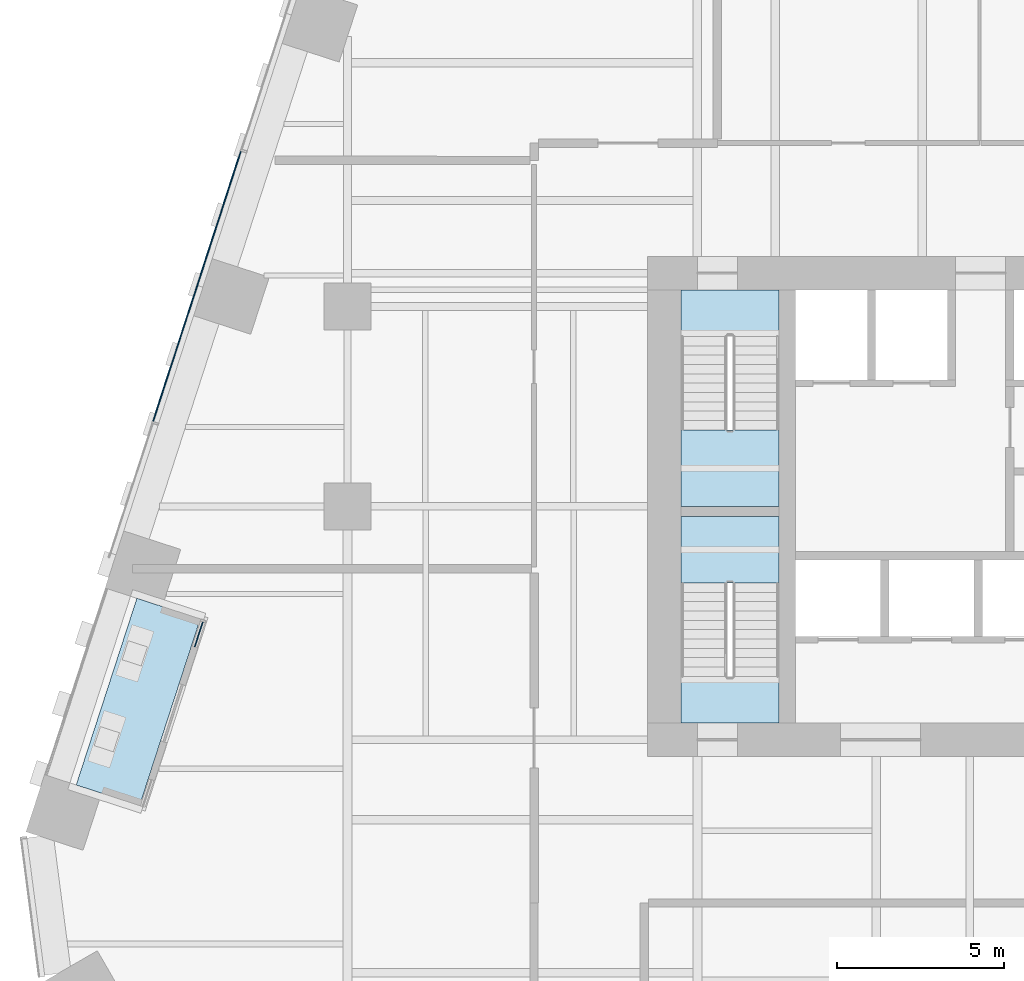
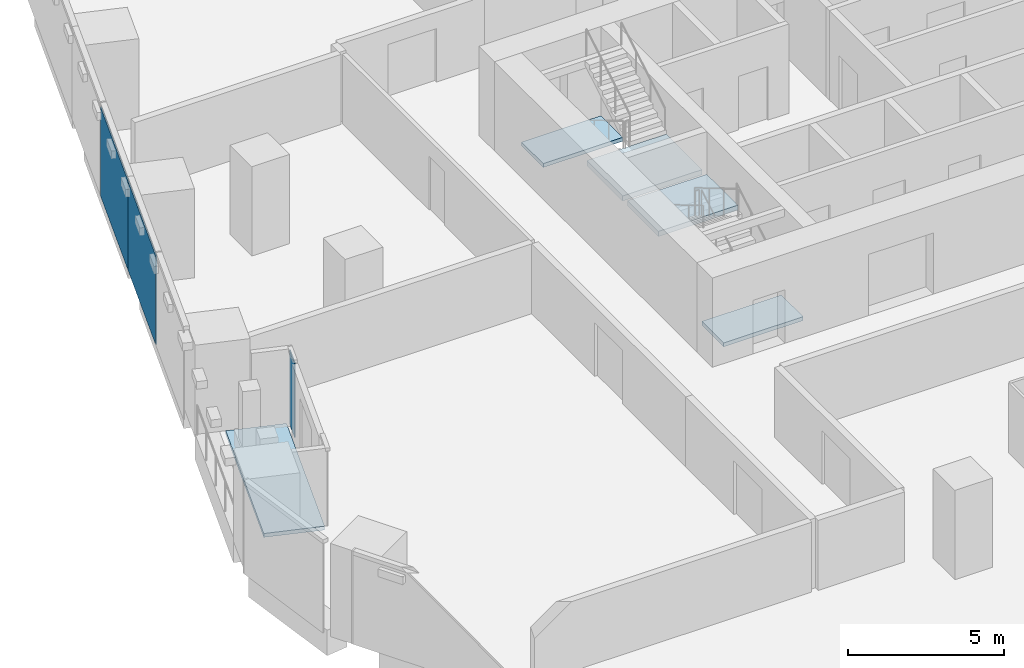
# One storey, part 18 of 31: 5 slabs, 3 plates, 4 elements without a shape of their own.
"""IFC4 building model written with IfcOpenShell, lengths in metres."""

from ifc_helpers import new_model, si_unit, direction, frame, origin, origin_2d, place, context, subcontext, project, spatial, polyline, rectangle, outline, extrude, material, layer, layer_set, type_object, element, aggregate, save


model = new_model("IFC4")

# Units and contexts
model_context = context("Model", 3, precision=1e-05, world=origin(), true_north=direction((0.0, 1.0)))
body_context = subcontext(model_context, "Body", "Model", "MODEL_VIEW")
ifc_project = project(units=[si_unit("LENGTHUNIT", "METRE"), si_unit("AREAUNIT", "SQUARE_METRE"), si_unit("VOLUMEUNIT", "CUBIC_METRE"), si_unit("PLANEANGLEUNIT", "RADIAN"), si_unit("MASSUNIT", "GRAM", prefix="KILO")], contexts=[model_context])

# Site, building, storey
site_placement = place(None, origin())
site = spatial("IfcSite", under=ifc_project, at=site_placement, CompositionType="ELEMENT")
building_placement = place(site_placement, origin())
building = spatial("IfcBuilding", under=site, at=building_placement, Name="Isthmus Gate Tower", CompositionType="ELEMENT")
storey_placement = place(building_placement, frame((0.0, 0.0, 39.64990234375)))
storey = spatial("IfcBuildingStorey", under=building, at=storey_placement, Name="L07", CompositionType="ELEMENT", Elevation=39.64990234375)

# Slabs
ifc_material_1 = material(Name="Concrete f'c 40 MPa", Category="concrete")
ifc_layer_1 = layer(ifc_material_1, 0.14990234375)
ifc_layer_set_1 = layer_set([ifc_layer_1], Name="CORE FLOOR SLAB 150")
slab_type_1 = type_object("IfcSlabType", Name="CORE FLOOR SLAB 150", PredefinedType="FLOOR", material=ifc_layer_set_1)
slab_1_placement = place(storey_placement, frame((0.0, 0.0, -0.14990234375)))
element("IfcSlab", 1, at=slab_1_placement, inside=storey, type_object=slab_type_1, Name="L07 core floor", PredefinedType="FLOOR", context=body_context, shape_type="SweptSolid", body=[
    extrude(outline(polyline([(-11.050048828125, 1.0), (-11.050048828125, 2.402099609375), (-14.0, 2.402099609375), (-14.0, 1.0), (-11.050048828125, 1.0)])), origin(), (0.0, 0.0, 1.0), 0.14990234375),
])
slab_2_placement = place(storey_placement, frame((0.0, 0.0, -0.14990234375)))
element("IfcSlab", 2, at=slab_2_placement, inside=storey, type_object=slab_type_1, Name="L07 core floor", PredefinedType="FLOOR", context=body_context, shape_type="SweptSolid", body=[
    extrude(outline(polyline([(-14.0, 14.0), (-14.0, 12.597900390625), (-11.050048828125, 12.597900390625), (-11.050048828125, 14.0), (-14.0, 14.0)])), origin(), (0.0, 0.0, 1.0), 0.14990234375),
])

# Curtain wall, plates
ifc_material_2 = material(Name="Aluminium, pale champagne anodised", Category="aluminium")
ifc_layer_2 = layer(ifc_material_2, 0.199951171875)
ifc_layer_set_2 = layer_set([ifc_layer_2], Name="CW-1 UNITISED CURTAIN WALL 200 DEEP")
curtain_wall_type_1 = type_object("IfcCurtainWallType", Name="CW-1 UNITISED CURTAIN WALL 200 DEEP", PredefinedType="NOTDEFINED", material=ifc_layer_set_2)
curtain_wall_1_placement = place(storey_placement, origin())
curtain_wall_1 = element("IfcCurtainWall", 3, at=curtain_wall_1_placement, inside=storey, type_object=curtain_wall_type_1, Name="CW-1 NW L07", PredefinedType="NOTDEFINED")
ifc_material_3 = material(Name="Laminated low-iron glass, pale blue tint", Category="glass")
ifc_layer_3 = layer(ifc_material_3, 0.0400390625)
ifc_layer_set_3 = layer_set([ifc_layer_3], Name="CW-1 CLEAR GLASS LITE 40")
plate_type_1 = type_object("IfcPlateType", Name="CW-1 CLEAR GLASS LITE 40", PredefinedType="CURTAIN_PANEL", material=ifc_layer_set_3)
plate_1_placement = place(storey_placement, frame((-27.8544921875, 16.146484375, 0.0), z_axis=(0.0, 0.0, 1.0), x_axis=(-0.309016994375, -0.951056516295, 0.0)))
plate_1 = element("IfcPlate", 4, at=plate_1_placement, type_object=plate_type_1, Name="CW-1 glass lite", PredefinedType="CURTAIN_PANEL", context=body_context, shape_type="SweptSolid", body=[
    extrude(rectangle(XDim=4.234619140625, YDim=0.0400390625, at=origin_2d()), origin(), (0.0, 0.0, 1.0), 3.5),
])
plate_2_placement = place(storey_placement, frame((-29.17236328125, 12.09033203125, 0.0), z_axis=(0.0, 0.0, 1.0), x_axis=(-0.309016994375, -0.951056516295, 0.0)))
plate_2 = element("IfcPlate", 5, at=plate_2_placement, type_object=plate_type_1, Name="CW-1 glass lite", PredefinedType="CURTAIN_PANEL", context=body_context, shape_type="SweptSolid", body=[
    extrude(rectangle(XDim=4.294677734375, YDim=0.0400390625, at=origin_2d()), origin(), (0.0, 0.0, 1.0), 3.5),
])
aggregate(curtain_wall_1, [plate_1, plate_2])

# Curtain wall, plate
ifc_material_4 = material(Name="Aluminium, pale champagne anodised", Category="aluminium")
ifc_layer_4 = layer(ifc_material_4, 0.14990234375)
ifc_layer_set_4 = layer_set([ifc_layer_4], Name="CW-6 LOGGIA BACK WALL GLAZING 150 DEEP")
curtain_wall_type_2 = type_object("IfcCurtainWallType", Name="CW-6 LOGGIA BACK WALL GLAZING 150 DEEP", PredefinedType="NOTDEFINED", material=ifc_layer_set_4)
curtain_wall_2_placement = place(storey_placement, origin())
curtain_wall_2 = element("IfcCurtainWall", 6, at=curtain_wall_2_placement, inside=storey, type_object=curtain_wall_type_2, Name="CW-6 NW L07", PredefinedType="NOTDEFINED")
ifc_material_5 = material(Name="Laminated low-iron glass, clear", Category="glass")
ifc_layer_5 = layer(ifc_material_5, 0.031982421875)
ifc_layer_set_5 = layer_set([ifc_layer_5], Name="CW-6 CLEAR GLASS LITE 32")
plate_type_2 = type_object("IfcPlateType", Name="CW-6 CLEAR GLASS LITE 32", PredefinedType="CURTAIN_PANEL", material=ifc_layer_set_5)
plate_3_placement = place(storey_placement, frame((-28.46142578125, 3.6640625, 0.0), z_axis=(0.0, 0.0, 1.0), x_axis=(-0.309016994375, -0.951056516295, 0.0)))
plate_3 = element("IfcPlate", 7, at=plate_3_placement, type_object=plate_type_2, Name="CW-6 glass lite", PredefinedType="CURTAIN_PANEL", context=body_context, shape_type="SweptSolid", body=[
    extrude(rectangle(XDim=0.78466796875, YDim=0.031982421875, at=origin_2d()), origin(), (0.0, 0.0, 1.0), 2.929931640625),
])
aggregate(curtain_wall_2, [plate_3])

# Slab
ifc_material_6 = material(Name="Concrete f'c 50 MPa", Category="concrete")
ifc_layer_6 = layer(ifc_material_6, 0.14990234375)
ifc_layer_set_6 = layer_set([ifc_layer_6], Name="LOGGIA FLOOR SLAB 150")
slab_type_2 = type_object("IfcSlabType", Name="LOGGIA FLOOR SLAB 150", PredefinedType="FLOOR", material=ifc_layer_set_6)
slab_3_placement = place(storey_placement, frame((0.0, 0.0, -0.14990234375)))
element("IfcSlab", 8, at=slab_3_placement, inside=storey, type_object=slab_type_2, Name="LOGGIA FLOOR", PredefinedType="FLOOR", context=body_context, shape_type="SweptSolid", body=[
    extrude(outline(polyline([(-30.31884765625, 4.7431640625), (-32.138916015625, -0.85791015625), (-30.23681640625, -1.47607421875), (-28.416748046875, 4.125), (-30.31884765625, 4.7431640625)])), origin(), (0.0, 0.0, 1.0), 0.14990234375),
])

# Stair, slab
ifc_material_7 = material(Name="Concrete f'c 40 MPa", Category="concrete")
stair_type = type_object("IfcStairType", Name="CORE STAIR 22 RISERS", PredefinedType="HALF_TURN_STAIR", material=ifc_material_7)
stair_1_placement = place(storey_placement, origin())
stair_1 = element("IfcStair", 9, at=stair_1_placement, inside=storey, type_object=stair_type, Name="L07 Exit Stair 1", PredefinedType="HALF_TURN_STAIR")
ifc_material_8 = material(Name="Concrete f'c 40 MPa", Category="concrete")
ifc_layer_7 = layer(ifc_material_8, 0.199951171875)
ifc_layer_set_7 = layer_set([ifc_layer_7])
slab_type_3 = type_object("IfcSlabType", Name="STAIR LANDING RC 200", PredefinedType="LANDING", material=ifc_layer_set_7)
slab_4_placement = place(storey_placement, frame((0.0, 0.0, 1.625)))
slab_4 = element("IfcSlab", 10, at=slab_4_placement, type_object=slab_type_3, Name="ST1 landing 1", PredefinedType="LANDING", context=body_context, shape_type="SweptSolid", body=[
    extrude(outline(polyline([(-14.0, 9.800048828125), (-14.0, 7.5), (-11.050048828125, 7.5), (-11.050048828125, 9.800048828125), (-14.0, 9.800048828125)])), origin(), (0.0, 0.0, 1.0), 0.2001953125),
])
aggregate(stair_1, [slab_4])

stair_2_placement = place(storey_placement, origin())
stair_2 = element("IfcStair", 11, at=stair_2_placement, inside=storey, type_object=stair_type, Name="L07 Exit Stair 7", PredefinedType="HALF_TURN_STAIR")
slab_5_placement = place(storey_placement, frame((0.0, 0.0, 1.625)))
slab_5 = element("IfcSlab", 12, at=slab_5_placement, type_object=slab_type_3, Name="ST7 landing 1", PredefinedType="LANDING", context=body_context, shape_type="SweptSolid", body=[
    extrude(outline(polyline([(-11.050048828125, 5.199951171875), (-11.050048828125, 7.199951171875), (-14.0, 7.199951171875), (-14.0, 5.199951171875), (-11.050048828125, 5.199951171875)])), origin(), (0.0, 0.0, 1.0), 0.2001953125),
])
aggregate(stair_2, [slab_5])

save(model, "model.ifc")
